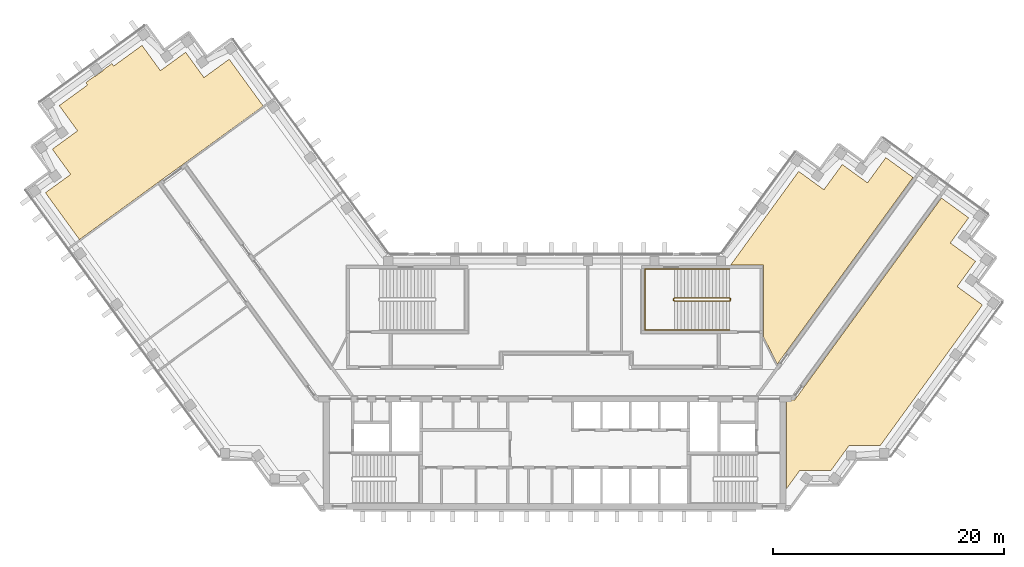
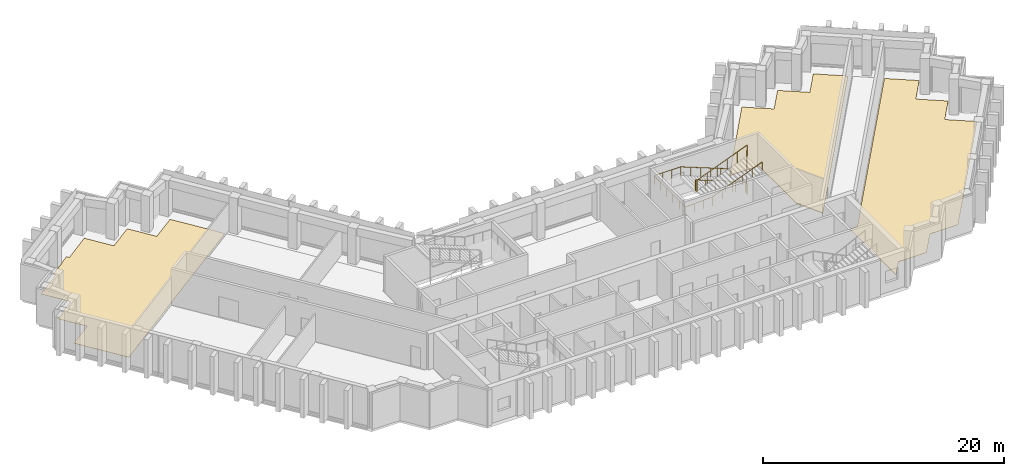
# One storey, part 9 of 9: 3 coverings, 2 railings.
"""IFC4 building model written with IfcOpenShell, lengths in metres."""

from ifc_helpers import new_model, si_unit, direction, frame, origin, origin_2d, place, context, subcontext, project, spatial, polyline, circle, outline, extrude, material, layer, layer_set, type_object, element, save


model = new_model("IFC4")

# Units and contexts
model_context = context("Model", 3, precision=1e-05, world=origin(), true_north=direction((0.0, 1.0)))
body_context = subcontext(model_context, "Body", "Model", "MODEL_VIEW")
ifc_project = project(units=[si_unit("LENGTHUNIT", "METRE"), si_unit("AREAUNIT", "SQUARE_METRE"), si_unit("VOLUMEUNIT", "CUBIC_METRE"), si_unit("PLANEANGLEUNIT", "RADIAN"), si_unit("MASSUNIT", "GRAM", prefix="KILO")], contexts=[model_context])

# Site, building, storey
site_placement = place(None, origin())
site = spatial("IfcSite", under=ifc_project, at=site_placement, CompositionType="ELEMENT")
building_placement = place(site_placement, origin())
building = spatial("IfcBuilding", under=site, at=building_placement, Name="Quipu Civic Tower", CompositionType="ELEMENT")
storey_placement = place(building_placement, frame((0.0, 0.0, 218.0)))
storey = spatial("IfcBuildingStorey", under=building, at=storey_placement, Name="L51", CompositionType="ELEMENT", Elevation=218.0)

# Coverings
ifc_material_1 = material(Name="Carpet tile on raised access floor")
ifc_layer_1 = layer(ifc_material_1, 0.02001953125)
ifc_layer_set_1 = layer_set([ifc_layer_1], Name="Carpet tile on raised access floor")
covering_type_1 = type_object("IfcCoveringType", Name="Carpet tile floor finish 20", PredefinedType="FLOORING", material=ifc_layer_set_1)
covering_1_placement = place(storey_placement, origin())
element("IfcCovering", 1, at=covering_1_placement, inside=storey, type_object=covering_type_1, Name="Carpet tile floor finish 20", PredefinedType="FLOORING", context=body_context, shape_type="SweptSolid", body=[
    extrude(outline(polyline([(-44.074951171875, 16.4140625), (-41.89208984375, 17.9990234375), (-43.47802734375, 20.18505859375), (-41.2939453125, 21.77294921875), (-42.881103515625, 23.95703125), (-40.424072265625, 25.740966796875), (-40.574951171875, 25.952880859375), (-39.81298828125, 26.507080078125), (-39.80908203125, 26.5029296875), (-39.804931640625, 26.5009765625), (-39.801025390625, 26.498046875), (-39.7958984375, 26.49609375), (-39.7919921875, 26.4951171875), (-39.787109375, 26.493896484375), (-39.781982421875, 26.492919921875), (-39.777099609375, 26.492919921875), (-39.77197265625, 26.493896484375), (-39.76806640625, 26.4951171875), (-39.762939453125, 26.49609375), (-39.758056640625, 26.498046875), (-39.75390625, 26.5), (-39.75, 26.5029296875), (-39.10302734375, 26.972900390625), (-39.09912109375, 26.97607421875), (-39.094970703125, 26.97998046875), (-39.092041015625, 26.98291015625), (-39.089111328125, 26.987060546875), (-39.0869140625, 26.991943359375), (-39.0849609375, 26.99609375), (-39.083984375, 27.0009765625), (-39.0830078125, 27.006103515625), (-39.08203125, 27.010986328125), (-39.08203125, 27.014892578125), (-39.08203125, 27.02001953125), (-39.0830078125, 27.02490234375), (-39.0849609375, 27.030029296875), (-39.0869140625, 27.033935546875), (-38.324951171875, 27.587890625), (-38.169921875, 27.37890625), (-35.712890625, 29.1640625), (-34.126953125, 26.97998046875), (-31.94091796875, 28.56591796875), (-30.35400390625, 26.383056640625), (-28.169921875, 27.968994140625), (-25.22607421875, 23.916015625), (-41.131103515625, 12.360107421875), (-44.074951171875, 16.4140625)])), origin(), (0.0, 0.0, 1.0), 0.02001953125),
])
covering_2_placement = place(storey_placement, origin())
element("IfcCovering", 2, at=covering_2_placement, inside=storey, type_object=covering_type_1, Name="Carpet tile floor finish 20", PredefinedType="FLOORING", context=body_context, shape_type="SweptSolid", body=[
    extrude(outline(polyline([(20.070068359375, -9.195068359375), (20.070068359375, -1.52001953125), (20.77490234375, -1.51904296875), (33.472900390625, 15.9580078125), (35.826904296875, 14.248046875), (34.240966796875, 12.06396484375), (36.425048828125, 10.47607421875), (34.839111328125, 8.291015625), (37.02197265625, 6.7060546875), (28.181884765625, -5.4609375), (25.48193359375, -5.4619140625), (23.89501953125, -7.64599609375), (21.196044921875, -7.64599609375), (20.070068359375, -9.195068359375)])), origin(), (0.0, 0.0, 1.0), 0.02001953125),
])
ifc_material_2 = material(Name="Sealed cement screed")
ifc_layer_2 = layer(ifc_material_2, 0.050048828125)
ifc_layer_set_2 = layer_set([ifc_layer_2], Name="Sealed cement screed")
covering_type_2 = type_object("IfcCoveringType", Name="Sealed screed floor finish 50", PredefinedType="FLOORING", material=ifc_layer_set_2)
covering_3_placement = place(storey_placement, origin())
element("IfcCovering", 3, at=covering_3_placement, inside=storey, type_object=covering_type_2, Name="Sealed screed floor finish 50", PredefinedType="FLOORING", context=body_context, shape_type="SweptSolid", body=[
    extrude(outline(polyline([(15.238037109375, 10.169921875), (21.116943359375, 18.260986328125), (23.301025390625, 16.675048828125), (24.887939453125, 18.85791015625), (27.073974609375, 17.27197265625), (28.658935546875, 19.455078125), (31.013916015625, 17.7451171875), (19.27197265625, 1.583984375), (18.070068359375, 3.94189453125), (18.070068359375, 10.1689453125), (15.238037109375, 10.169921875)])), origin(), (0.0, 0.0, 1.0), 0.050048828125),
])

# Railings
ifc_material_3 = material(Name="Stainless steel", Category="steel")
railing_type_1 = type_object("IfcRailingType", Name="Stair guard 1100", PredefinedType="GUARDRAIL", material=ifc_material_3)
railing_1_placement = place(storey_placement, frame((15.14990234375, 7.300048828125, 0.11767578125)))
element("IfcRailing", 4, at=railing_1_placement, inside=storey, type_object=railing_type_1, Name="Stair 4 guard", PredefinedType="GUARDRAIL", context=body_context, shape_type="SweptSolid", body=[
    extrude(circle(Radius=0.02392578125, at=origin_2d()), frame((0.0, 0.0, 1.076171875), z_axis=(-0.930970042603, 0.0, 0.365095576219), x_axis=(0.0, -1.0, 0.0)), (0.0, 0.0, 1.0), 5.15576171875),
    extrude(circle(Radius=0.02392578125, at=origin_2d()), frame((-4.7998046875, 0.0, 2.95849609375), z_axis=(-0.707106781187, -0.707106781187, 0.0), x_axis=(0.707106781187, -0.707106781187, 0.0)), (0.0, 0.0, 1.0), 0.07080078125),
    extrude(circle(Radius=0.02392578125, at=origin_2d()), frame((-4.849853515625, -0.050048828125, 2.95849609375), z_axis=(0.0, -1.0, 0.0), x_axis=(1.0, 0.0, 0.0)), (0.0, 0.0, 1.0), 0.14990234375),
    extrude(circle(Radius=0.02392578125, at=origin_2d()), frame((-4.849853515625, -0.199951171875, 2.95849609375), z_axis=(0.364463019033, -0.364463019033, 0.856932561824), x_axis=(0.707106781187, 0.707106781187, 0.0)), (0.0, 0.0, 1.0), 0.13720703125),
    extrude(circle(Radius=0.02392578125, at=origin_2d()), frame((-4.7998046875, -0.25, 3.076171875), z_axis=(0.930970042603, 0.0, 0.365095576219), x_axis=(0.0, 1.0, 0.0)), (0.0, 0.0, 1.0), 5.15576171875),
    extrude(circle(Radius=0.02392578125, at=origin_2d()), frame((0.0, -0.25, 4.95849609375), z_axis=(0.012495627992, 0.049921557685, -0.998674970829), x_axis=(-0.970072785993, 0.242814311512, 0.0)), (0.0, 0.0, 1.0), 4.00537109375),
    extrude(circle(Radius=0.02392578125, at=origin_2d()), frame((0.050048828125, -0.050048828125, 0.95849609375), z_axis=(0.0, -1.0, 0.0), x_axis=(1.0, 0.0, 0.0)), (0.0, 0.0, 1.0), 0.14990234375),
    extrude(circle(Radius=0.02099609375, at=origin_2d()), origin(), (0.0, 0.0, 1.0), 1.052001953125),
    extrude(circle(Radius=0.02099609375, at=origin_2d()), frame((-0.9599609375, 0.0, 0.37646484375)), (0.0, 0.0, 1.0), 1.052001953125),
    extrude(circle(Radius=0.02099609375, at=origin_2d()), frame((-1.919921875, 0.0, 0.7529296875)), (0.0, 0.0, 1.0), 1.052001953125),
    extrude(circle(Radius=0.02099609375, at=origin_2d()), frame((-2.8798828125, 0.0, 1.12939453125)), (0.0, 0.0, 1.0), 1.052001953125),
    extrude(circle(Radius=0.02099609375, at=origin_2d()), frame((-3.83984375, 0.0, 1.505859375)), (0.0, 0.0, 1.0), 1.052001953125),
    extrude(circle(Radius=0.02099609375, at=origin_2d()), frame((-4.7998046875, 0.0, 1.88232421875)), (0.0, 0.0, 1.0), 1.052001953125),
    extrude(circle(Radius=0.02099609375, at=origin_2d()), frame((-4.849853515625, -0.050048828125, 1.88232421875)), (0.0, 0.0, 1.0), 1.052001953125),
    extrude(circle(Radius=0.02099609375, at=origin_2d()), frame((-4.849853515625, -0.199951171875, 1.88232421875)), (0.0, 0.0, 1.0), 1.052001953125),
    extrude(circle(Radius=0.02099609375, at=origin_2d()), frame((-4.7998046875, -0.25, 2.0)), (0.0, 0.0, 1.0), 1.052001953125),
    extrude(circle(Radius=0.02099609375, at=origin_2d()), frame((-3.83984375, -0.25, 2.37646484375)), (0.0, 0.0, 1.0), 1.052001953125),
    extrude(circle(Radius=0.02099609375, at=origin_2d()), frame((-2.8798828125, -0.25, 2.7529296875)), (0.0, 0.0, 1.0), 1.052001953125),
    extrude(circle(Radius=0.02099609375, at=origin_2d()), frame((-1.919921875, -0.25, 3.12939453125)), (0.0, 0.0, 1.0), 1.052001953125),
    extrude(circle(Radius=0.02099609375, at=origin_2d()), frame((-0.9599609375, -0.25, 3.505859375)), (0.0, 0.0, 1.0), 1.052001953125),
    extrude(circle(Radius=0.02099609375, at=origin_2d()), frame((0.0, -0.25, 3.88232421875)), (0.0, 0.0, 1.0), 1.052001953125),
    extrude(circle(Radius=0.02099609375, at=origin_2d()), frame((0.012451171875, -0.199951171875, 2.88232421875)), (0.0, 0.0, 1.0), 1.052001953125),
    extrude(circle(Radius=0.02099609375, at=origin_2d()), frame((0.02490234375, -0.14990234375, 1.88232421875)), (0.0, 0.0, 1.0), 1.052001953125),
    extrude(circle(Radius=0.02099609375, at=origin_2d()), frame((0.03759765625, -0.10009765625, 0.88232421875)), (0.0, 0.0, 1.0), 1.052001953125),
    extrude(circle(Radius=0.02099609375, at=origin_2d()), frame((0.050048828125, -0.050048828125, -0.11767578125)), (0.0, 0.0, 1.0), 1.052001953125),
    extrude(circle(Radius=0.02099609375, at=origin_2d()), frame((0.050048828125, -0.199951171875, -0.11767578125)), (0.0, 0.0, 1.0), 1.052001953125),
])
ifc_material_4 = material(Name="Stainless steel", Category="steel")
railing_type_2 = type_object("IfcRailingType", Name="Stair handrail", PredefinedType="HANDRAIL", material=ifc_material_4)
railing_2_placement = place(storey_placement, frame((15.14990234375, 9.800048828125, 0.11767578125)))
element("IfcRailing", 5, at=railing_2_placement, inside=storey, type_object=railing_type_2, Name="Stair 4 handrail", PredefinedType="HANDRAIL", context=body_context, shape_type="SweptSolid", body=[
    extrude(circle(Radius=0.02392578125, at=origin_2d()), frame((0.0, 0.0, 0.8759765625), z_axis=(-0.930970042603, 0.0, 0.365095576219), x_axis=(0.0, -1.0, 0.0)), (0.0, 0.0, 1.0), 5.15576171875),
    extrude(circle(Radius=0.02392578125, at=origin_2d()), frame((-4.7998046875, 0.0, 2.75830078125), z_axis=(-1.0, 0.0, 0.0), x_axis=(0.0, -1.0, 0.0)), (0.0, 0.0, 1.0), 2.550048828125),
    extrude(circle(Radius=0.02392578125, at=origin_2d()), frame((-7.349853515625, 0.0, 2.75830078125), z_axis=(0.0, -1.0, 0.0), x_axis=(1.0, 0.0, 0.0)), (0.0, 0.0, 1.0), 5.25),
    extrude(circle(Radius=0.02392578125, at=origin_2d()), frame((-7.349853515625, -5.25, 2.75830078125), z_axis=(0.998936948642, 0.0, 0.04609742549), x_axis=(0.0, 1.0, 0.0)), (0.0, 0.0, 1.0), 2.552734375),
    extrude(circle(Radius=0.02392578125, at=origin_2d()), frame((-4.7998046875, -5.25, 2.8759765625), z_axis=(0.930970042603, 0.0, 0.365095576219), x_axis=(0.0, 1.0, 0.0)), (0.0, 0.0, 1.0), 5.15576171875),
    extrude(circle(Radius=0.02099609375, at=origin_2d()), origin(), (0.0, 0.0, 1.0), 0.851806640625),
    extrude(circle(Radius=0.02099609375, at=origin_2d()), frame((-0.9599609375, 0.0, 0.37646484375)), (0.0, 0.0, 1.0), 0.851806640625),
    extrude(circle(Radius=0.02099609375, at=origin_2d()), frame((-1.919921875, 0.0, 0.7529296875)), (0.0, 0.0, 1.0), 0.851806640625),
    extrude(circle(Radius=0.02099609375, at=origin_2d()), frame((-2.8798828125, 0.0, 1.12939453125)), (0.0, 0.0, 1.0), 0.851806640625),
    extrude(circle(Radius=0.02099609375, at=origin_2d()), frame((-3.83984375, 0.0, 1.505859375)), (0.0, 0.0, 1.0), 0.851806640625),
    extrude(circle(Radius=0.02099609375, at=origin_2d()), frame((-4.7998046875, 0.0, 1.88232421875)), (0.0, 0.0, 1.0), 0.851806640625),
    extrude(circle(Radius=0.02099609375, at=origin_2d()), frame((-5.64990234375, 0.0, 1.88232421875)), (0.0, 0.0, 1.0), 0.851806640625),
    extrude(circle(Radius=0.02099609375, at=origin_2d()), frame((-6.499755859375, 0.0, 1.88232421875)), (0.0, 0.0, 1.0), 0.851806640625),
    extrude(circle(Radius=0.02099609375, at=origin_2d()), frame((-7.349853515625, 0.0, 1.88232421875)), (0.0, 0.0, 1.0), 0.851806640625),
    extrude(circle(Radius=0.02099609375, at=origin_2d()), frame((-7.349853515625, -1.050048828125, 1.88232421875)), (0.0, 0.0, 1.0), 0.851806640625),
    extrude(circle(Radius=0.02099609375, at=origin_2d()), frame((-7.349853515625, -2.10009765625, 1.88232421875)), (0.0, 0.0, 1.0), 0.851806640625),
    extrude(circle(Radius=0.02099609375, at=origin_2d()), frame((-7.349853515625, -3.14990234375, 1.88232421875)), (0.0, 0.0, 1.0), 0.851806640625),
    extrude(circle(Radius=0.02099609375, at=origin_2d()), frame((-7.349853515625, -4.199951171875, 1.88232421875)), (0.0, 0.0, 1.0), 0.851806640625),
    extrude(circle(Radius=0.02099609375, at=origin_2d()), frame((-7.349853515625, -5.25, 1.88232421875)), (0.0, 0.0, 1.0), 0.851806640625),
    extrude(circle(Radius=0.02099609375, at=origin_2d()), frame((-6.499755859375, -5.25, 1.921630859375)), (0.0, 0.0, 1.0), 0.851806640625),
    extrude(circle(Radius=0.02099609375, at=origin_2d()), frame((-5.64990234375, -5.25, 1.960693359375)), (0.0, 0.0, 1.0), 0.851806640625),
    extrude(circle(Radius=0.02099609375, at=origin_2d()), frame((-4.7998046875, -5.25, 2.0)), (0.0, 0.0, 1.0), 0.851806640625),
    extrude(circle(Radius=0.02099609375, at=origin_2d()), frame((-3.83984375, -5.25, 2.37646484375)), (0.0, 0.0, 1.0), 0.851806640625),
    extrude(circle(Radius=0.02099609375, at=origin_2d()), frame((-2.8798828125, -5.25, 2.7529296875)), (0.0, 0.0, 1.0), 0.851806640625),
    extrude(circle(Radius=0.02099609375, at=origin_2d()), frame((-1.919921875, -5.25, 3.12939453125)), (0.0, 0.0, 1.0), 0.851806640625),
    extrude(circle(Radius=0.02099609375, at=origin_2d()), frame((-0.9599609375, -5.25, 3.505859375)), (0.0, 0.0, 1.0), 0.851806640625),
    extrude(circle(Radius=0.02099609375, at=origin_2d()), frame((0.0, -5.25, 3.88232421875)), (0.0, 0.0, 1.0), 0.851806640625),
])

save(model, "model.ifc")
